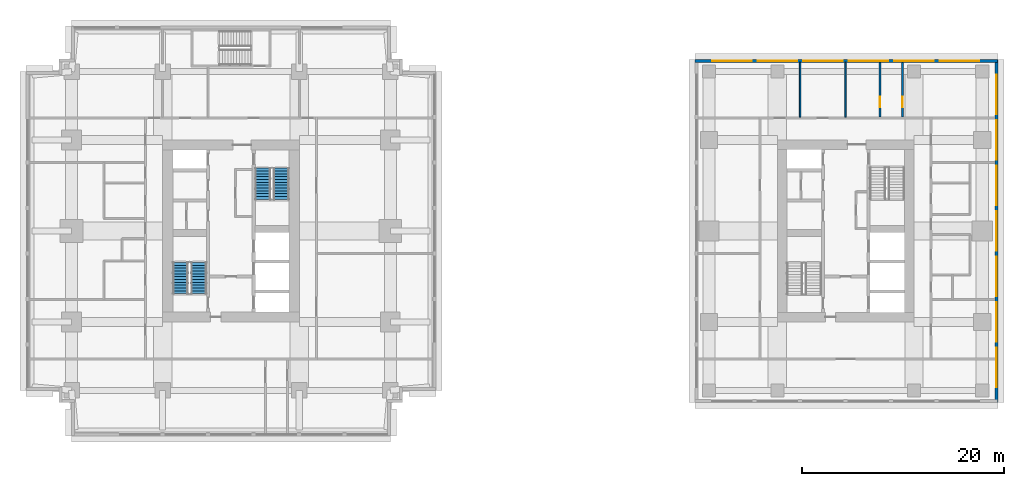
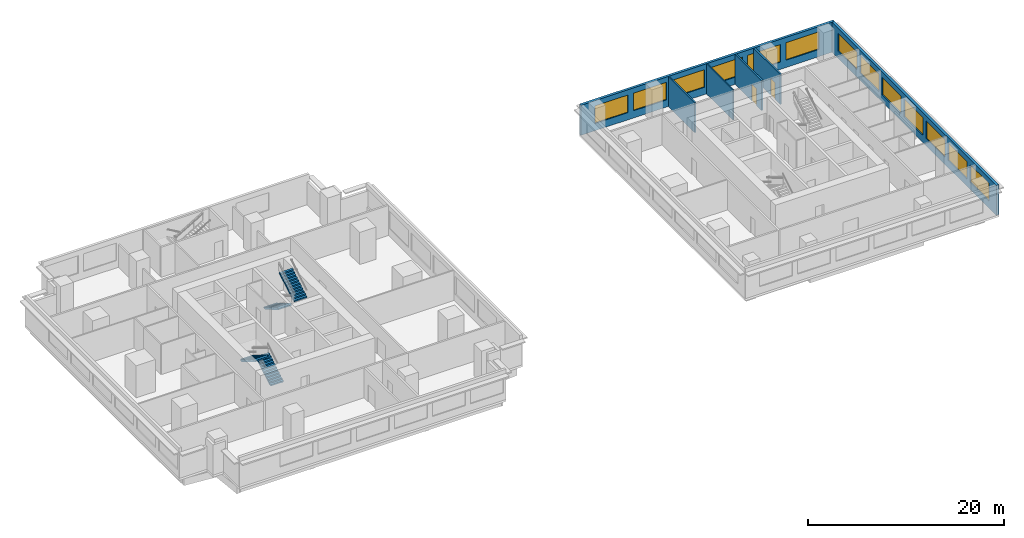
# One storey, part 8 of 11: 13 windows, 6 walls, 4 stair flights, 2 doors, 15 openings, 2 elements without a shape of their own.
"""IFC4 building model written with IfcOpenShell, lengths in metres."""

from ifc_helpers import new_model, si_unit, direction, frame, frame_2d, origin, place, context, subcontext, project, spatial, polyline, rectangle, outline, extrude, material, layer, layer_set, type_object, element, fill, aggregate, save


model = new_model("IFC4")

# Units and contexts
model_context = context("Model", 3, precision=1e-05, world=origin(), true_north=direction((0.0, 1.0)))
body_context = subcontext(model_context, "Body", "Model", "MODEL_VIEW")
ifc_project = project(units=[si_unit("LENGTHUNIT", "METRE"), si_unit("AREAUNIT", "SQUARE_METRE"), si_unit("VOLUMEUNIT", "CUBIC_METRE"), si_unit("PLANEANGLEUNIT", "RADIAN"), si_unit("MASSUNIT", "GRAM", prefix="KILO")], contexts=[model_context])

# Site, building, storey
site_placement = place(None, origin())
site = spatial("IfcSite", under=ifc_project, at=site_placement, CompositionType="ELEMENT")
building_placement = place(site_placement, origin())
building = spatial("IfcBuilding", under=site, at=building_placement, Name="Namib Vertical Campus", CompositionType="ELEMENT")
storey_placement = place(building_placement, frame((0.0, 0.0, 205.0)))
storey = spatial("IfcBuildingStorey", under=building, at=storey_placement, Name="L48", CompositionType="ELEMENT", Elevation=205.0)

# Wall, opening, door
ifc_material_1 = material(Name="Concrete masonry", Category="masonry")
ifc_layer_1 = layer(ifc_material_1, 0.199951171875)
ifc_layer_set_1 = layer_set([ifc_layer_1], Name="Corridor wall 200")
wall_type_1 = type_object("IfcWallType", Name="Corridor wall 200", PredefinedType="SOLIDWALL", material=ifc_layer_set_1)
wall_1_placement = place(storey_placement, frame((84.39990234375, 31.5, 0.0), z_axis=(0.0, 0.0, 1.0), x_axis=(0.0, 1.0, 0.0)))
wall_1 = element("IfcWall", 1, at=wall_1_placement, inside=storey, type_object=wall_type_1, Name="Corridor wall B L48 SPN1", PredefinedType="SOLIDWALL", context=body_context, shape_type="SweptSolid", body=[
    extrude(rectangle(XDim=5.39990234375, YDim=0.199951171875, at=frame_2d((2.699951171875, 0.0))), origin(), (0.0, 0.0, 1.0), 3.75),
])
opening_1_placement = place(wall_1_placement, frame((1.0, 0.0, 0.0)))
opening_1 = element("IfcOpeningElement", 2, at=opening_1_placement, cuts=wall_1, Name="Opening CD1", PredefinedType="OPENING", context=body_context, shape_type="SweptSolid", body=[
    extrude(rectangle(XDim=1.0, YDim=2.10009765625, at=frame_2d((0.5, 1.050048828125))), frame((0.0, 0.10986328125, 0.0), z_axis=(0.0, -1.0, 0.0), x_axis=(1.0, 0.0, 0.0)), (0.0, 0.0, 1.0), 0.219970703125),
])
ifc_material_2 = material(Name="Timber fire door leaf", Category="wood")
door_type = type_object("IfcDoorType", Name="Corridor door 1000x2100 20 min", OperationType="SINGLE_SWING_LEFT", PredefinedType="DOOR", material=ifc_material_2)
door_1_placement = place(opening_1_placement, origin())
door_1 = element("IfcDoor", 3, at=door_1_placement, inside=storey, type_object=door_type, Name="Door CD1 B48-11", OperationType="SINGLE_SWING_LEFT", OverallHeight=2.10009765625, OverallWidth=1.0, PredefinedType="DOOR", context=body_context, shape_type="SweptSolid", body=[
    extrude(rectangle(XDim=1.0, YDim=2.10009765625, at=frame_2d((0.5, 1.050048828125))), frame((0.0, 0.02490234375, 0.0), z_axis=(0.0, -1.0, 0.0), x_axis=(1.0, 0.0, 0.0)), (0.0, 0.0, 1.0), 0.050048828125),
])
fill(opening_1, door_1)

wall_2_placement = place(storey_placement, frame((86.60009765625, 36.89990234375, 0.0), z_axis=(0.0, 0.0, 1.0), x_axis=(0.0, -1.0, 0.0)))
wall_2 = element("IfcWall", 4, at=wall_2_placement, inside=storey, type_object=wall_type_1, Name="Corridor wall B L48 SPN2", PredefinedType="SOLIDWALL", context=body_context, shape_type="SweptSolid", body=[
    extrude(rectangle(XDim=5.39990234375, YDim=0.199951171875, at=frame_2d((2.699951171875, 0.0))), origin(), (0.0, 0.0, 1.0), 3.75),
])
opening_2_placement = place(wall_2_placement, frame((3.39990234375, 0.0, 0.0)))
opening_2 = element("IfcOpeningElement", 5, at=opening_2_placement, cuts=wall_2, Name="Opening CD1", PredefinedType="OPENING", context=body_context, shape_type="SweptSolid", body=[
    extrude(rectangle(XDim=1.0, YDim=2.10009765625, at=frame_2d((0.5, 1.050048828125))), frame((0.0, 0.10986328125, 0.0), z_axis=(0.0, -1.0, 0.0), x_axis=(1.0, 0.0, 0.0)), (0.0, 0.0, 1.0), 0.219970703125),
])
door_2_placement = place(opening_2_placement, origin())
door_2 = element("IfcDoor", 6, at=door_2_placement, inside=storey, type_object=door_type, Name="Door CD1 B48-12", OperationType="SINGLE_SWING_RIGHT", OverallHeight=2.10009765625, OverallWidth=1.0, PredefinedType="DOOR", context=body_context, shape_type="SweptSolid", body=[
    extrude(rectangle(XDim=1.0, YDim=2.10009765625, at=frame_2d((0.5, 1.050048828125))), frame((0.0, 0.02490234375, 0.0), z_axis=(0.0, -1.0, 0.0), x_axis=(1.0, 0.0, 0.0)), (0.0, 0.0, 1.0), 0.050048828125),
])
fill(opening_2, door_2)

# Wall, openings, windows
ifc_material_3 = material(Name="Concrete C40/50", Category="concrete")
ifc_layer_2 = layer(ifc_material_3, 0.300048828125)
ifc_layer_set_2 = layer_set([ifc_layer_2], Name="Concrete C40/50")
wall_type_2 = type_object("IfcWallType", Name="External wall 300 board-marked concrete", PredefinedType="STANDARD", material=ifc_layer_set_2)
wall_3_placement = place(storey_placement, frame((95.89990234375, 3.320068359375, 0.0), z_axis=(0.0, 0.0, 1.0), x_axis=(0.0, 1.0, 0.0)))
wall_3 = element("IfcWall", 7, at=wall_3_placement, inside=storey, type_object=wall_type_2, Name="External wall L48 F02", PredefinedType="STANDARD", context=body_context, shape_type="SweptSolid", body=[
    extrude(rectangle(XDim=33.85986328125, YDim=0.300048828125, at=frame_2d((16.929931640625, 0.0))), origin(), (0.0, 0.0, 1.0), 3.75),
])
opening_3_placement = place(wall_3_placement, frame((1.47998046875, 0.0, 0.89990234375)))
opening_3 = element("IfcOpeningElement", 8, at=opening_3_placement, cuts=wall_3, Name="Opening W1", PredefinedType="OPENING", context=body_context, shape_type="SweptSolid", body=[
    extrude(rectangle(XDim=3.89990234375, YDim=2.199951171875, at=frame_2d((1.949951171875, 1.10009765625))), frame((0.0, 0.159912109375, 0.0), z_axis=(0.0, -1.0, 0.0), x_axis=(1.0, 0.0, 0.0)), (0.0, 0.0, 1.0), 0.320068359375),
])
opening_4_placement = place(wall_3_placement, frame((5.97998046875, 0.0, 0.89990234375)))
opening_4 = element("IfcOpeningElement", 9, at=opening_4_placement, cuts=wall_3, Name="Opening W1", PredefinedType="OPENING", context=body_context, shape_type="SweptSolid", body=[
    extrude(rectangle(XDim=3.89990234375, YDim=2.199951171875, at=frame_2d((1.949951171875, 1.10009765625))), frame((0.0, 0.159912109375, 0.0), z_axis=(0.0, -1.0, 0.0), x_axis=(1.0, 0.0, 0.0)), (0.0, 0.0, 1.0), 0.320068359375),
])
opening_5_placement = place(wall_3_placement, frame((10.47998046875, 0.0, 0.89990234375)))
opening_5 = element("IfcOpeningElement", 10, at=opening_5_placement, cuts=wall_3, Name="Opening W1", PredefinedType="OPENING", context=body_context, shape_type="SweptSolid", body=[
    extrude(rectangle(XDim=3.89990234375, YDim=2.199951171875, at=frame_2d((1.949951171875, 1.10009765625))), frame((0.0, 0.159912109375, 0.0), z_axis=(0.0, -1.0, 0.0), x_axis=(1.0, 0.0, 0.0)), (0.0, 0.0, 1.0), 0.320068359375),
])
opening_6_placement = place(wall_3_placement, frame((14.97998046875, 0.0, 0.89990234375)))
opening_6 = element("IfcOpeningElement", 11, at=opening_6_placement, cuts=wall_3, Name="Opening W1", PredefinedType="OPENING", context=body_context, shape_type="SweptSolid", body=[
    extrude(rectangle(XDim=3.89990234375, YDim=2.199951171875, at=frame_2d((1.949951171875, 1.10009765625))), frame((0.0, 0.159912109375, 0.0), z_axis=(0.0, -1.0, 0.0), x_axis=(1.0, 0.0, 0.0)), (0.0, 0.0, 1.0), 0.320068359375),
])
opening_7_placement = place(wall_3_placement, frame((19.47998046875, 0.0, 0.89990234375)))
opening_7 = element("IfcOpeningElement", 12, at=opening_7_placement, cuts=wall_3, Name="Opening W1", PredefinedType="OPENING", context=body_context, shape_type="SweptSolid", body=[
    extrude(rectangle(XDim=3.89990234375, YDim=2.199951171875, at=frame_2d((1.949951171875, 1.10009765625))), frame((0.0, 0.159912109375, 0.0), z_axis=(0.0, -1.0, 0.0), x_axis=(1.0, 0.0, 0.0)), (0.0, 0.0, 1.0), 0.320068359375),
])
opening_8_placement = place(wall_3_placement, frame((23.97998046875, 0.0, 0.89990234375)))
opening_8 = element("IfcOpeningElement", 13, at=opening_8_placement, cuts=wall_3, Name="Opening W1", PredefinedType="OPENING", context=body_context, shape_type="SweptSolid", body=[
    extrude(rectangle(XDim=3.89990234375, YDim=2.199951171875, at=frame_2d((1.949951171875, 1.10009765625))), frame((0.0, 0.159912109375, 0.0), z_axis=(0.0, -1.0, 0.0), x_axis=(1.0, 0.0, 0.0)), (0.0, 0.0, 1.0), 0.320068359375),
])
opening_9_placement = place(wall_3_placement, frame((28.47998046875, 0.0, 0.89990234375)))
opening_9 = element("IfcOpeningElement", 14, at=opening_9_placement, cuts=wall_3, Name="Opening W1", PredefinedType="OPENING", context=body_context, shape_type="SweptSolid", body=[
    extrude(rectangle(XDim=3.89990234375, YDim=2.199951171875, at=frame_2d((1.949951171875, 1.10009765625))), frame((0.0, 0.159912109375, 0.0), z_axis=(0.0, -1.0, 0.0), x_axis=(1.0, 0.0, 0.0)), (0.0, 0.0, 1.0), 0.320068359375),
])
ifc_material_4 = material(Name="Dark tinted glass in black aluminium frame", Category="aluminium")
window_type = type_object("IfcWindowType", Name="Ribbon window 3900x2200", PartitioningType="SINGLE_PANEL", PredefinedType="WINDOW", material=ifc_material_4)
window_1_placement = place(opening_3_placement, origin())
window_1 = element("IfcWindow", 15, at=window_1_placement, inside=storey, type_object=window_type, Name="Window W1 L48 F02-1", OverallHeight=2.199951171875, OverallWidth=3.89990234375, PartitioningType="SINGLE_PANEL", PredefinedType="WINDOW", context=body_context, shape_type="SweptSolid", body=[
    extrude(rectangle(XDim=3.89990234375, YDim=2.199951171875, at=frame_2d((1.949951171875, 1.10009765625))), frame((0.0, 0.030029296875, 0.0), z_axis=(0.0, -1.0, 0.0), x_axis=(1.0, 0.0, 0.0)), (0.0, 0.0, 1.0), 0.06005859375),
])
fill(opening_3, window_1)
window_2_placement = place(opening_4_placement, origin())
window_2 = element("IfcWindow", 16, at=window_2_placement, inside=storey, type_object=window_type, Name="Window W1 L48 F02-2", OverallHeight=2.199951171875, OverallWidth=3.89990234375, PartitioningType="SINGLE_PANEL", PredefinedType="WINDOW", context=body_context, shape_type="SweptSolid", body=[
    extrude(rectangle(XDim=3.89990234375, YDim=2.199951171875, at=frame_2d((1.949951171875, 1.10009765625))), frame((0.0, 0.030029296875, 0.0), z_axis=(0.0, -1.0, 0.0), x_axis=(1.0, 0.0, 0.0)), (0.0, 0.0, 1.0), 0.06005859375),
])
fill(opening_4, window_2)
window_3_placement = place(opening_5_placement, origin())
window_3 = element("IfcWindow", 17, at=window_3_placement, inside=storey, type_object=window_type, Name="Window W1 L48 F02-3", OverallHeight=2.199951171875, OverallWidth=3.89990234375, PartitioningType="SINGLE_PANEL", PredefinedType="WINDOW", context=body_context, shape_type="SweptSolid", body=[
    extrude(rectangle(XDim=3.89990234375, YDim=2.199951171875, at=frame_2d((1.949951171875, 1.10009765625))), frame((0.0, 0.030029296875, 0.0), z_axis=(0.0, -1.0, 0.0), x_axis=(1.0, 0.0, 0.0)), (0.0, 0.0, 1.0), 0.06005859375),
])
fill(opening_5, window_3)
window_4_placement = place(opening_6_placement, origin())
window_4 = element("IfcWindow", 18, at=window_4_placement, inside=storey, type_object=window_type, Name="Window W1 L48 F02-4", OverallHeight=2.199951171875, OverallWidth=3.89990234375, PartitioningType="SINGLE_PANEL", PredefinedType="WINDOW", context=body_context, shape_type="SweptSolid", body=[
    extrude(rectangle(XDim=3.89990234375, YDim=2.199951171875, at=frame_2d((1.949951171875, 1.10009765625))), frame((0.0, 0.030029296875, 0.0), z_axis=(0.0, -1.0, 0.0), x_axis=(1.0, 0.0, 0.0)), (0.0, 0.0, 1.0), 0.06005859375),
])
fill(opening_6, window_4)
window_5_placement = place(opening_7_placement, origin())
window_5 = element("IfcWindow", 19, at=window_5_placement, inside=storey, type_object=window_type, Name="Window W1 L48 F02-5", OverallHeight=2.199951171875, OverallWidth=3.89990234375, PartitioningType="SINGLE_PANEL", PredefinedType="WINDOW", context=body_context, shape_type="SweptSolid", body=[
    extrude(rectangle(XDim=3.89990234375, YDim=2.199951171875, at=frame_2d((1.949951171875, 1.10009765625))), frame((0.0, 0.030029296875, 0.0), z_axis=(0.0, -1.0, 0.0), x_axis=(1.0, 0.0, 0.0)), (0.0, 0.0, 1.0), 0.06005859375),
])
fill(opening_7, window_5)
window_6_placement = place(opening_8_placement, origin())
window_6 = element("IfcWindow", 20, at=window_6_placement, inside=storey, type_object=window_type, Name="Window W1 L48 F02-6", OverallHeight=2.199951171875, OverallWidth=3.89990234375, PartitioningType="SINGLE_PANEL", PredefinedType="WINDOW", context=body_context, shape_type="SweptSolid", body=[
    extrude(rectangle(XDim=3.89990234375, YDim=2.199951171875, at=frame_2d((1.949951171875, 1.10009765625))), frame((0.0, 0.030029296875, 0.0), z_axis=(0.0, -1.0, 0.0), x_axis=(1.0, 0.0, 0.0)), (0.0, 0.0, 1.0), 0.06005859375),
])
fill(opening_8, window_6)
window_7_placement = place(opening_9_placement, origin())
window_7 = element("IfcWindow", 21, at=window_7_placement, inside=storey, type_object=window_type, Name="Window W1 L48 F02-7", OverallHeight=2.199951171875, OverallWidth=3.89990234375, PartitioningType="SINGLE_PANEL", PredefinedType="WINDOW", context=body_context, shape_type="SweptSolid", body=[
    extrude(rectangle(XDim=3.89990234375, YDim=2.199951171875, at=frame_2d((1.949951171875, 1.10009765625))), frame((0.0, 0.030029296875, 0.0), z_axis=(0.0, -1.0, 0.0), x_axis=(1.0, 0.0, 0.0)), (0.0, 0.0, 1.0), 0.06005859375),
])
fill(opening_9, window_7)

wall_4_placement = place(storey_placement, frame((96.030029296875, 37.050048828125, 0.0), z_axis=(0.0, 0.0, 1.0), x_axis=(-1.0, 0.0, 0.0)))
wall_4 = element("IfcWall", 22, at=wall_4_placement, inside=storey, type_object=wall_type_2, Name="External wall L48 F03", PredefinedType="STANDARD", context=body_context, shape_type="SweptSolid", body=[
    extrude(rectangle(XDim=29.909912109375, YDim=0.300048828125, at=frame_2d((14.955078125, 0.0))), origin(), (0.0, 0.0, 1.0), 3.75),
])
opening_10_placement = place(wall_4_placement, frame((24.330078125, 0.0, 0.89990234375)))
opening_10 = element("IfcOpeningElement", 23, at=opening_10_placement, cuts=wall_4, Name="Opening W1", PredefinedType="OPENING", context=body_context, shape_type="SweptSolid", body=[
    extrude(rectangle(XDim=3.89990234375, YDim=2.199951171875, at=frame_2d((1.949951171875, 1.10009765625))), frame((0.0, 0.159912109375, 0.0), z_axis=(0.0, -1.0, 0.0), x_axis=(1.0, 0.0, 0.0)), (0.0, 0.0, 1.0), 0.320068359375),
])
opening_11_placement = place(wall_4_placement, frame((19.830078125, 0.0, 0.89990234375)))
opening_11 = element("IfcOpeningElement", 24, at=opening_11_placement, cuts=wall_4, Name="Opening W1", PredefinedType="OPENING", context=body_context, shape_type="SweptSolid", body=[
    extrude(rectangle(XDim=3.89990234375, YDim=2.199951171875, at=frame_2d((1.949951171875, 1.10009765625))), frame((0.0, 0.159912109375, 0.0), z_axis=(0.0, -1.0, 0.0), x_axis=(1.0, 0.0, 0.0)), (0.0, 0.0, 1.0), 0.320068359375),
])
opening_12_placement = place(wall_4_placement, frame((15.330078125, 0.0, 0.89990234375)))
opening_12 = element("IfcOpeningElement", 25, at=opening_12_placement, cuts=wall_4, Name="Opening W1", PredefinedType="OPENING", context=body_context, shape_type="SweptSolid", body=[
    extrude(rectangle(XDim=3.89990234375, YDim=2.199951171875, at=frame_2d((1.949951171875, 1.10009765625))), frame((0.0, 0.159912109375, 0.0), z_axis=(0.0, -1.0, 0.0), x_axis=(1.0, 0.0, 0.0)), (0.0, 0.0, 1.0), 0.320068359375),
])
opening_13_placement = place(wall_4_placement, frame((10.830078125, 0.0, 0.89990234375)))
opening_13 = element("IfcOpeningElement", 26, at=opening_13_placement, cuts=wall_4, Name="Opening W1", PredefinedType="OPENING", context=body_context, shape_type="SweptSolid", body=[
    extrude(rectangle(XDim=3.89990234375, YDim=2.199951171875, at=frame_2d((1.949951171875, 1.10009765625))), frame((0.0, 0.159912109375, 0.0), z_axis=(0.0, -1.0, 0.0), x_axis=(1.0, 0.0, 0.0)), (0.0, 0.0, 1.0), 0.320068359375),
])
opening_14_placement = place(wall_4_placement, frame((6.330078125, 0.0, 0.89990234375)))
opening_14 = element("IfcOpeningElement", 27, at=opening_14_placement, cuts=wall_4, Name="Opening W1", PredefinedType="OPENING", context=body_context, shape_type="SweptSolid", body=[
    extrude(rectangle(XDim=3.89990234375, YDim=2.199951171875, at=frame_2d((1.949951171875, 1.10009765625))), frame((0.0, 0.159912109375, 0.0), z_axis=(0.0, -1.0, 0.0), x_axis=(1.0, 0.0, 0.0)), (0.0, 0.0, 1.0), 0.320068359375),
])
opening_15_placement = place(wall_4_placement, frame((1.830078125, 0.0, 0.89990234375)))
opening_15 = element("IfcOpeningElement", 28, at=opening_15_placement, cuts=wall_4, Name="Opening W1", PredefinedType="OPENING", context=body_context, shape_type="SweptSolid", body=[
    extrude(rectangle(XDim=3.89990234375, YDim=2.199951171875, at=frame_2d((1.949951171875, 1.10009765625))), frame((0.0, 0.159912109375, 0.0), z_axis=(0.0, -1.0, 0.0), x_axis=(1.0, 0.0, 0.0)), (0.0, 0.0, 1.0), 0.320068359375),
])
window_8_placement = place(opening_10_placement, origin())
window_8 = element("IfcWindow", 29, at=window_8_placement, inside=storey, type_object=window_type, Name="Window W1 L48 F03-1", OverallHeight=2.199951171875, OverallWidth=3.89990234375, PartitioningType="SINGLE_PANEL", PredefinedType="WINDOW", context=body_context, shape_type="SweptSolid", body=[
    extrude(rectangle(XDim=3.89990234375, YDim=2.199951171875, at=frame_2d((1.949951171875, 1.10009765625))), frame((0.0, 0.030029296875, 0.0), z_axis=(0.0, -1.0, 0.0), x_axis=(1.0, 0.0, 0.0)), (0.0, 0.0, 1.0), 0.06005859375),
])
fill(opening_10, window_8)
window_9_placement = place(opening_11_placement, origin())
window_9 = element("IfcWindow", 30, at=window_9_placement, inside=storey, type_object=window_type, Name="Window W1 L48 F03-2", OverallHeight=2.199951171875, OverallWidth=3.89990234375, PartitioningType="SINGLE_PANEL", PredefinedType="WINDOW", context=body_context, shape_type="SweptSolid", body=[
    extrude(rectangle(XDim=3.89990234375, YDim=2.199951171875, at=frame_2d((1.949951171875, 1.10009765625))), frame((0.0, 0.030029296875, 0.0), z_axis=(0.0, -1.0, 0.0), x_axis=(1.0, 0.0, 0.0)), (0.0, 0.0, 1.0), 0.06005859375),
])
fill(opening_11, window_9)
window_10_placement = place(opening_12_placement, origin())
window_10 = element("IfcWindow", 31, at=window_10_placement, inside=storey, type_object=window_type, Name="Window W1 L48 F03-3", OverallHeight=2.199951171875, OverallWidth=3.89990234375, PartitioningType="SINGLE_PANEL", PredefinedType="WINDOW", context=body_context, shape_type="SweptSolid", body=[
    extrude(rectangle(XDim=3.89990234375, YDim=2.199951171875, at=frame_2d((1.949951171875, 1.10009765625))), frame((0.0, 0.030029296875, 0.0), z_axis=(0.0, -1.0, 0.0), x_axis=(1.0, 0.0, 0.0)), (0.0, 0.0, 1.0), 0.06005859375),
])
fill(opening_12, window_10)
window_11_placement = place(opening_13_placement, origin())
window_11 = element("IfcWindow", 32, at=window_11_placement, inside=storey, type_object=window_type, Name="Window W1 L48 F03-4", OverallHeight=2.199951171875, OverallWidth=3.89990234375, PartitioningType="SINGLE_PANEL", PredefinedType="WINDOW", context=body_context, shape_type="SweptSolid", body=[
    extrude(rectangle(XDim=3.89990234375, YDim=2.199951171875, at=frame_2d((1.949951171875, 1.10009765625))), frame((0.0, 0.030029296875, 0.0), z_axis=(0.0, -1.0, 0.0), x_axis=(1.0, 0.0, 0.0)), (0.0, 0.0, 1.0), 0.06005859375),
])
fill(opening_13, window_11)
window_12_placement = place(opening_14_placement, origin())
window_12 = element("IfcWindow", 33, at=window_12_placement, inside=storey, type_object=window_type, Name="Window W1 L48 F03-5", OverallHeight=2.199951171875, OverallWidth=3.89990234375, PartitioningType="SINGLE_PANEL", PredefinedType="WINDOW", context=body_context, shape_type="SweptSolid", body=[
    extrude(rectangle(XDim=3.89990234375, YDim=2.199951171875, at=frame_2d((1.949951171875, 1.10009765625))), frame((0.0, 0.030029296875, 0.0), z_axis=(0.0, -1.0, 0.0), x_axis=(1.0, 0.0, 0.0)), (0.0, 0.0, 1.0), 0.06005859375),
])
fill(opening_14, window_12)
window_13_placement = place(opening_15_placement, origin())
window_13 = element("IfcWindow", 34, at=window_13_placement, inside=storey, type_object=window_type, Name="Window W1 L48 F03-6", OverallHeight=2.199951171875, OverallWidth=3.89990234375, PartitioningType="SINGLE_PANEL", PredefinedType="WINDOW", context=body_context, shape_type="SweptSolid", body=[
    extrude(rectangle(XDim=3.89990234375, YDim=2.199951171875, at=frame_2d((1.949951171875, 1.10009765625))), frame((0.0, 0.030029296875, 0.0), z_axis=(0.0, -1.0, 0.0), x_axis=(1.0, 0.0, 0.0)), (0.0, 0.0, 1.0), 0.06005859375),
])
fill(opening_15, window_13)

# Walls
ifc_material_5 = material(Name="Gypsum board on steel studs", Category="steel")
ifc_layer_3 = layer(ifc_material_5, 0.14990234375)
ifc_layer_set_3 = layer_set([ifc_layer_3], Name="Gypsum board on steel studs")
wall_type_3 = type_object("IfcWallType", Name="Partition 150", PredefinedType="PARTITIONING", material=ifc_layer_set_3)
for number, where, z_axis, x_axis, name in (
    (35, (76.5, 31.5, 0.0), (0.0, 0.0, 1.0), (0.0, 1.0, 0.0), "Partition B L48 PN1"),
    (36, (81.0, 31.5, 0.0), (0.0, 0.0, 1.0), (0.0, 1.0, 0.0), "Partition B L48 PN2"),
):
    element("IfcWall", number, at=place(storey_placement, frame(where, z_axis=z_axis, x_axis=x_axis)), inside=storey, type_object=wall_type_3, Name=name, PredefinedType="PARTITIONING", context=body_context, shape_type="SweptSolid", body=[
        extrude(rectangle(XDim=5.39990234375, YDim=0.14990234375, at=frame_2d((2.699951171875, 0.0))), origin(), (0.0, 0.0, 1.0), 3.75),
    ])

# Stair, stair flights
ifc_material_6 = material(Name="Concrete C40/50 precast", Category="concrete")
stair_type = type_object("IfcStairType", Name="Exit stair 4000 rise 24 risers 3350 wide", PredefinedType="HALF_TURN_STAIR", material=ifc_material_6)
stair_1_placement = place(storey_placement, origin())
stair_1 = element("IfcStair", 37, at=stair_1_placement, inside=storey, type_object=stair_type, Name="Exit stair A-S1 L48", PredefinedType="HALF_TURN_STAIR")
ifc_material_7 = material(Name="Concrete C40/50 precast", Category="concrete")
stair_flight_type = type_object("IfcStairFlightType", Name="Stair flight 12 risers 167 1525 wide", PredefinedType="STRAIGHT", material=ifc_material_7)
stair_flight_1_placement = place(storey_placement, frame((17.08740234375, 14.050048828125, 0.0), z_axis=(0.0, 0.0, 1.0), x_axis=(0.0, 1.0, 0.0)))
stair_flight_1 = element("IfcStairFlight", 38, at=stair_flight_1_placement, type_object=stair_flight_type, Name="A-S1 flight 1", NumberOfRisers=12, NumberOfTreads=11, PredefinedType="STRAIGHT", RiserHeight=0.166666667, TreadLength=0.28, context=body_context, shape_type="SweptSolid", body=[
    extrude(outline(polyline([(0.0, 0.0), (0.0, 0.166748046875), (0.280029296875, 0.166748046875), (0.280029296875, 0.333251953125), (0.56005859375, 0.333251953125), (0.56005859375, 0.5), (0.840087890625, 0.5), (0.840087890625, 0.666748046875), (1.1201171875, 0.666748046875), (1.1201171875, 0.833251953125), (1.39990234375, 0.833251953125), (1.39990234375, 1.0), (1.679931640625, 1.0), (1.679931640625, 1.166748046875), (1.9599609375, 1.166748046875), (1.9599609375, 1.333251953125), (2.239990234375, 1.333251953125), (2.239990234375, 1.5), (2.52001953125, 1.5), (2.52001953125, 1.666748046875), (2.800048828125, 1.666748046875), (2.800048828125, 1.833251953125), (3.080078125, 1.833251953125), (3.080078125, 2.0), (3.080078125, 1.658935546875), (0.29296875, 0.0), (0.0, 0.0)])), frame((0.0, 0.762451171875, 0.0), z_axis=(0.0, -1.0, 0.0), x_axis=(1.0, 0.0, 0.0)), (0.0, 0.0, 1.0), 1.52490234375),
])
stair_flight_2_placement = place(storey_placement, frame((15.262451171875, 17.1298828125, 2.0), z_axis=(0.0, 0.0, 1.0), x_axis=(0.0, -1.0, 0.0)))
stair_flight_2 = element("IfcStairFlight", 39, at=stair_flight_2_placement, type_object=stair_flight_type, Name="A-S1 flight 2", NumberOfRisers=12, NumberOfTreads=11, PredefinedType="STRAIGHT", RiserHeight=0.166666667, TreadLength=0.28, context=body_context, shape_type="SweptSolid", body=[
    extrude(outline(polyline([(0.0, 0.0), (0.0, 0.166748046875), (0.280029296875, 0.166748046875), (0.280029296875, 0.333251953125), (0.56005859375, 0.333251953125), (0.56005859375, 0.5), (0.840087890625, 0.5), (0.840087890625, 0.666748046875), (1.1201171875, 0.666748046875), (1.1201171875, 0.833251953125), (1.39990234375, 0.833251953125), (1.39990234375, 1.0), (1.679931640625, 1.0), (1.679931640625, 1.166748046875), (1.9599609375, 1.166748046875), (1.9599609375, 1.333251953125), (2.239990234375, 1.333251953125), (2.239990234375, 1.5), (2.52001953125, 1.5), (2.52001953125, 1.666748046875), (2.800048828125, 1.666748046875), (2.800048828125, 1.833251953125), (3.080078125, 1.833251953125), (3.080078125, 2.0), (3.080078125, 1.658935546875), (0.29296875, 0.0), (0.0, 0.0)])), frame((0.0, 0.762451171875, 0.0), z_axis=(0.0, -1.0, 0.0), x_axis=(1.0, 0.0, 0.0)), (0.0, 0.0, 1.0), 1.52490234375),
])
aggregate(stair_1, [stair_flight_1, stair_flight_2])

stair_2_placement = place(storey_placement, origin())
stair_2 = element("IfcStair", 40, at=stair_2_placement, inside=storey, type_object=stair_type, Name="Exit stair A-S2 L48", PredefinedType="HALF_TURN_STAIR")
stair_flight_3_placement = place(storey_placement, frame((23.41259765625, 26.449951171875, 0.0), z_axis=(0.0, 0.0, 1.0), x_axis=(0.0, -1.0, 0.0)))
stair_flight_3 = element("IfcStairFlight", 41, at=stair_flight_3_placement, type_object=stair_flight_type, Name="A-S2 flight 1", NumberOfRisers=12, NumberOfTreads=11, PredefinedType="STRAIGHT", RiserHeight=0.166666667, TreadLength=0.28, context=body_context, shape_type="SweptSolid", body=[
    extrude(outline(polyline([(0.0, 0.0), (0.0, 0.166748046875), (0.280029296875, 0.166748046875), (0.280029296875, 0.333251953125), (0.56005859375, 0.333251953125), (0.56005859375, 0.5), (0.840087890625, 0.5), (0.840087890625, 0.666748046875), (1.1201171875, 0.666748046875), (1.1201171875, 0.833251953125), (1.39990234375, 0.833251953125), (1.39990234375, 1.0), (1.679931640625, 1.0), (1.679931640625, 1.166748046875), (1.9599609375, 1.166748046875), (1.9599609375, 1.333251953125), (2.239990234375, 1.333251953125), (2.239990234375, 1.5), (2.52001953125, 1.5), (2.52001953125, 1.666748046875), (2.800048828125, 1.666748046875), (2.800048828125, 1.833251953125), (3.080078125, 1.833251953125), (3.080078125, 2.0), (3.080078125, 1.658935546875), (0.29296875, 0.0), (0.0, 0.0)])), frame((0.0, 0.762451171875, 0.0), z_axis=(0.0, -1.0, 0.0), x_axis=(1.0, 0.0, 0.0)), (0.0, 0.0, 1.0), 1.52490234375),
])
stair_flight_4_placement = place(storey_placement, frame((25.237548828125, 23.3701171875, 2.0), z_axis=(0.0, 0.0, 1.0), x_axis=(0.0, 1.0, 0.0)))
stair_flight_4 = element("IfcStairFlight", 42, at=stair_flight_4_placement, type_object=stair_flight_type, Name="A-S2 flight 2", NumberOfRisers=12, NumberOfTreads=11, PredefinedType="STRAIGHT", RiserHeight=0.166666667, TreadLength=0.28, context=body_context, shape_type="SweptSolid", body=[
    extrude(outline(polyline([(0.0, 0.0), (0.0, 0.166748046875), (0.280029296875, 0.166748046875), (0.280029296875, 0.333251953125), (0.56005859375, 0.333251953125), (0.56005859375, 0.5), (0.840087890625, 0.5), (0.840087890625, 0.666748046875), (1.1201171875, 0.666748046875), (1.1201171875, 0.833251953125), (1.39990234375, 0.833251953125), (1.39990234375, 1.0), (1.679931640625, 1.0), (1.679931640625, 1.166748046875), (1.9599609375, 1.166748046875), (1.9599609375, 1.333251953125), (2.239990234375, 1.333251953125), (2.239990234375, 1.5), (2.52001953125, 1.5), (2.52001953125, 1.666748046875), (2.800048828125, 1.666748046875), (2.800048828125, 1.833251953125), (3.080078125, 1.833251953125), (3.080078125, 2.0), (3.080078125, 1.658935546875), (0.29296875, 0.0), (0.0, 0.0)])), frame((0.0, 0.762451171875, 0.0), z_axis=(0.0, -1.0, 0.0), x_axis=(1.0, 0.0, 0.0)), (0.0, 0.0, 1.0), 1.52490234375),
])
aggregate(stair_2, [stair_flight_3, stair_flight_4])

save(model, "model.ifc")
